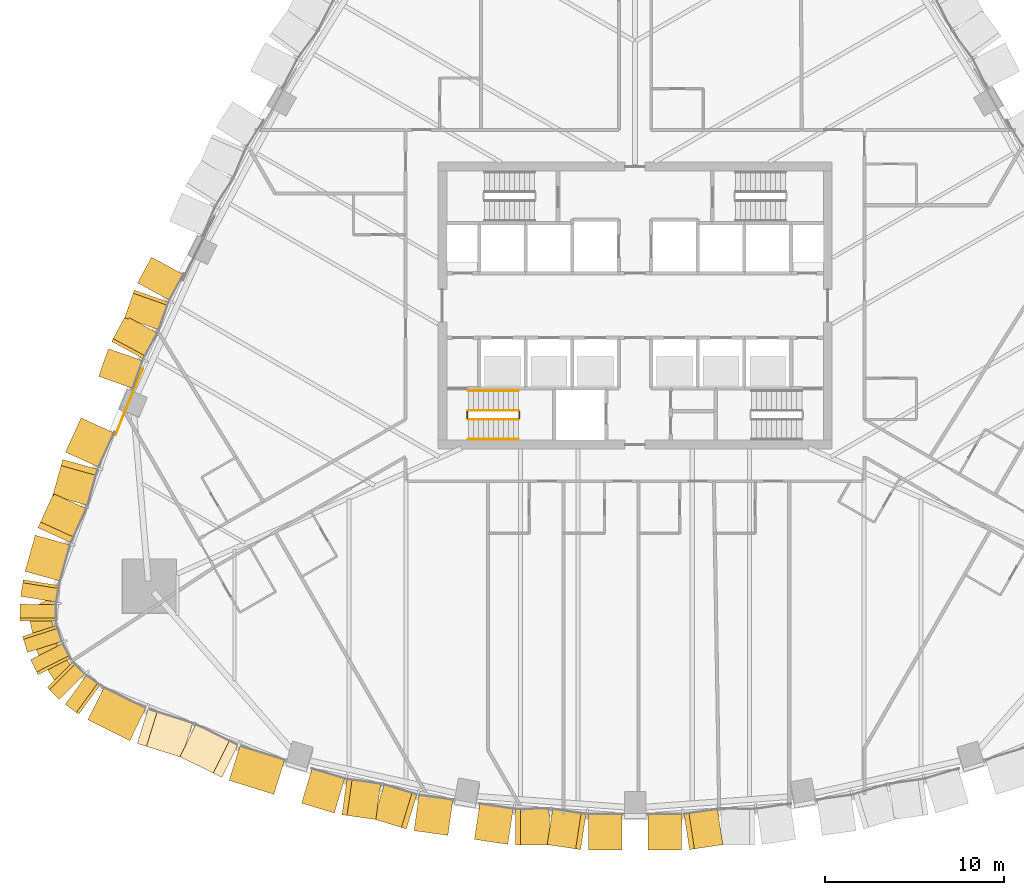
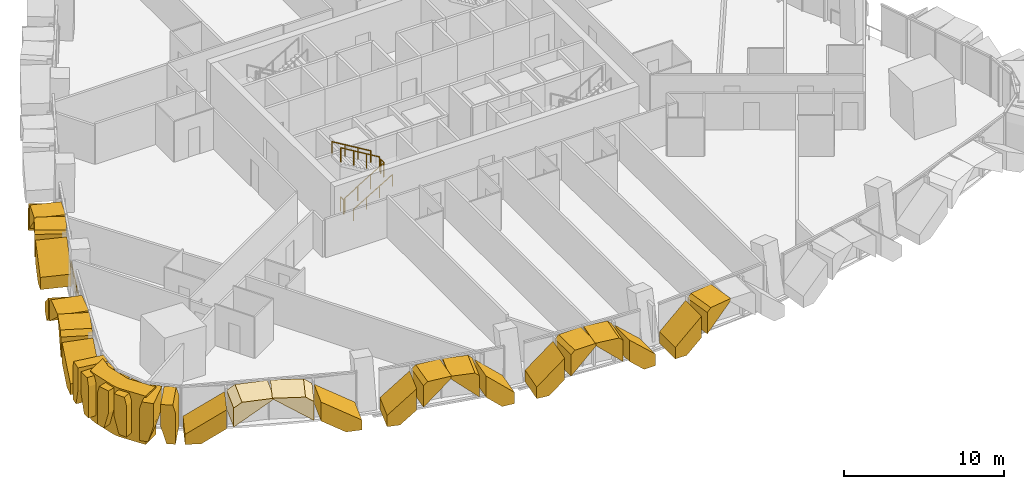
# One storey, part 19 of 23: 29 coverings, 7 railings.
"""IFC4 building model written with IfcOpenShell, lengths in metres."""

from ifc_helpers import new_model, si_unit, direction, frame, origin, origin_2d, place, context, subcontext, project, spatial, polyline, circle, outline, extrude, material, layer, layer_set, type_object, element, save


model = new_model("IFC4")

# Units and contexts
model_context = context("Model", 3, precision=1e-05, world=origin(), true_north=direction((0.0, 1.0)))
body_context = subcontext(model_context, "Body", "Model", "MODEL_VIEW")
ifc_project = project(units=[si_unit("LENGTHUNIT", "METRE"), si_unit("AREAUNIT", "SQUARE_METRE"), si_unit("VOLUMEUNIT", "CUBIC_METRE"), si_unit("PLANEANGLEUNIT", "RADIAN"), si_unit("MASSUNIT", "GRAM", prefix="KILO")], contexts=[model_context])

# Site, building, storey
site_placement = place(None, origin())
site = spatial("IfcSite", under=ifc_project, at=site_placement, CompositionType="ELEMENT")
building_placement = place(site_placement, origin())
building = spatial("IfcBuilding", under=site, at=building_placement, Name="Sierra Prisma Convention Tower", CompositionType="ELEMENT")
storey_placement = place(building_placement, frame((0.0, 0.0, 51.699951171875)))
storey = spatial("IfcBuildingStorey", under=building, at=storey_placement, Name="L08", CompositionType="ELEMENT", Elevation=51.699951171875)

# Coverings
ifc_material_1 = material(Name="Aluminium composite bronze anodised", Category="aluminium")
ifc_layer_1 = layer(ifc_material_1, 1.199951171875)
ifc_layer_set_1 = layer_set([ifc_layer_1], Name="Bronze corner pier")
covering_type_1 = type_object("IfcCoveringType", Name="Bronze corner pier", PredefinedType="CLADDING", material=ifc_layer_set_1)
covering_1_placement = place(storey_placement, frame((0.0, 0.0, -0.599853515625)))
element("IfcCovering", 1, at=covering_1_placement, inside=storey, type_object=covering_type_1, Name="Corner pier SW L08.1", PredefinedType="CLADDING", context=body_context, shape_type="SweptSolid", body=[
    extrude(outline(polyline([(-32.294189453125, -21.051513671875), (-33.251708984375, -19.5517578125), (-33.412841796875, -19.161376953125), (-33.79150390625, -17.4228515625), (-33.8076171875, -17.0009765625), (-33.80419921875, -16.976318359375), (-32.485595703125, -16.21533203125), (-32.619140625, -17.16748046875), (-32.240234375, -18.906005859375), (-31.28271484375, -20.40576171875), (-31.13623046875, -20.516845703125), (-32.213623046875, -21.138916015625), (-32.294189453125, -21.051513671875)])), origin(), (0.0, 0.0, 1.0), 3.699951171875),
])
ifc_material_2 = material(Name="Aluminium 6063-T6 bronze anodised", Category="aluminium")
ifc_layer_2 = layer(ifc_material_2, 2.0)
ifc_layer_set_2 = layer_set([ifc_layer_2], Name="Bronze crystal chevron frame")
covering_type_2 = type_object("IfcCoveringType", Name="Bronze crystal chevron frame", PredefinedType="CLADDING", material=ifc_layer_set_2)
covering_2_placement = place(storey_placement, frame((-30.520263671875, -23.103271484375, 0.0), z_axis=(-0.443732413084, -0.896159330464, 6.76376e-07), x_axis=(0.896159330465, -0.443732413084, -1e-12)))
element("IfcCovering", 2, at=covering_2_placement, inside=storey, type_object=covering_type_2, Name="CW-2 chevron frame S1.1.1", PredefinedType="CLADDING", context=body_context, shape_type="SweptSolid", body=[
    extrude(outline(polyline([(0.0, 0.0), (1.0112606469562402, 0.0), (2.6112405310045976, 1.0817871093778622), (2.6112405310031472, 2.530273437502531), (-7.658959683570873e-13, 0.764892578124825), (0.0, 0.0)])), origin(), (0.0, 0.0, -1.0), 2.0),
])
covering_3_placement = place(storey_placement, frame((-27.7685546875, -24.427001953125, 2.6181640625), z_axis=(-0.298055075039, -0.954548674229, 2.776161e-05), x_axis=(-8.274489e-06, -2.6499808e-05, -0.999999999615)))
element("IfcCovering", 3, at=covering_3_placement, inside=storey, type_object=covering_type_2, Name="CW-2 chevron frame S1.1.2", PredefinedType="CLADDING", context=body_context, shape_type="SweptSolid", body=[
    extrude(outline(polyline([(0.0, 0.0), (1.448486327566821, -2.4538312871385566e-21), (-0.317138672031644, 2.611362682428372), (-0.36181640638942725, 2.611362682428372), (-0.3618164075402192, 0.5350453592120472), (0.0, 0.0)])), origin(), (0.0, 0.0, -1.0), 2.0),
])
covering_4_placement = place(storey_placement, frame((-23.051025390625, -26.317626953125, 1.169677734375), z_axis=(-0.443746913114, -0.896152142766, -0.00011882094), x_axis=(-5.2726426e-05, -0.000106481641, 0.999999992941)))
element("IfcCovering", 4, at=covering_4_placement, inside=storey, type_object=covering_type_2, Name="CW-2 chevron frame S1.2.1", PredefinedType="CLADDING", context=body_context, shape_type="SweptSolid", body=[
    extrude(outline(polyline([(0.0, 0.0), (1.448486317899834, 0.0), (1.8103027477850822, 0.5352199647355572), (1.810302726703971, 2.611240530651879), (1.7656249926443606, 2.611240530651879), (0.0, 0.0)])), origin(), (0.0, 0.0, -1.0), 2.0),
])
covering_5_placement = place(storey_placement, frame((-20.14697265625, -27.260986328125, 0.0), z_axis=(-0.298065111719, -0.954545540021, -3.4666908e-05), x_axis=(-1.0332996e-05, -3.3091142e-05, 0.999999999399)))
element("IfcCovering", 5, at=covering_5_placement, inside=storey, type_object=covering_type_2, Name="CW-2 chevron frame S1.2.2", PredefinedType="CLADDING", context=body_context, shape_type="SweptSolid", body=[
    extrude(outline(polyline([(0.0, 0.0), (0.7648925776653782, -1.2957784295643179e-21), (2.5302734372796514, 2.6113626821784024), (1.081787110025043, 2.6113626821784024), (-2.6600266064379373e-09, 1.0113240919691124), (0.0, 0.0)])), origin(), (0.0, 0.0, -1.0), 2.0),
])
covering_6_placement = place(storey_placement, frame((-18.601318359375, -27.750732421875, 0.0), z_axis=(-0.291449744574, -0.956586141294, 2.5937207e-05), x_axis=(0.956586141615, -0.291449744672, -2.016e-09)))
element("IfcCovering", 6, at=covering_6_placement, inside=storey, type_object=covering_type_2, Name="CW-2 chevron frame S2.1.1", PredefinedType="CLADDING", context=body_context, shape_type="SweptSolid", body=[
    extrude(outline(polyline([(0.0, 0.0), (0.830763192791194, -1.6940658945086007e-21), (1.904959880936486, 0.9790039104203808), (1.904959877662864, 2.6025390661242738), (-1.7470802926684915e-09, 0.8664550778335511), (0.0, 0.0)])), origin(), (0.0, 0.0, -1.0), 2.0),
])
covering_7_placement = place(storey_placement, frame((-16.34619140625, -28.4013671875, 2.72119140625), z_axis=(-0.138170286185, -0.990408487297, -1.7498073e-05), x_axis=(2.417714e-06, 1.733024e-05, -0.999999999847)))
element("IfcCovering", 7, at=covering_7_placement, inside=storey, type_object=covering_type_2, Name="CW-2 chevron frame S2.1.2", PredefinedType="CLADDING", context=body_context, shape_type="SweptSolid", body=[
    extrude(outline(polyline([(0.0, 0.0), (1.6237792966264137, 6.876972817612734e-22), (-0.11230468756204384, 1.904744616953994), (-0.25878906253961836, 1.904744616953994), (-0.25878906308164223, 0.28422519582693534), (0.0, 0.0)])), origin(), (0.0, 0.0, -1.0), 2.0),
])
covering_8_placement = place(storey_placement, frame((-14.5810546875, -28.6376953125, 2.97998046875), z_axis=(-0.291355212986, -0.956614938135, 1.697988e-06), x_axis=(-4.94718e-07, -1.62432e-06, -0.999999999999)))
element("IfcCovering", 8, at=covering_8_placement, inside=storey, type_object=covering_type_2, Name="CW-2 chevron frame S2.2.1", PredefinedType="CLADDING", context=body_context, shape_type="SweptSolid", body=[
    extrude(outline(polyline([(0.0, 0.0), (0.14648437499978884, 7.754818242684634e-24), (1.8825683593730322, 1.9046551959057154), (0.2587890625003731, 1.9046551959057154), (-5.103956370906956e-12, 1.6206020114945416), (0.0, 0.0)])), origin(), (0.0, 0.0, -1.0), 2.0),
])
covering_9_placement = place(storey_placement, frame((-10.439453125, -29.551513671875, 0.0), z_axis=(-0.138166251373, -0.990409050253, 1.2551574e-05), x_axis=(1.734204e-06, 1.2431193e-05, 0.999999999921)))
element("IfcCovering", 9, at=covering_9_placement, inside=storey, type_object=covering_type_2, Name="CW-2 chevron frame S2.2.2", PredefinedType="CLADDING", context=body_context, shape_type="SweptSolid", body=[
    extrude(outline(polyline([(0.0, 0.0), (0.8664550780567485, 0.0), (2.60253906244923, 1.9047446169197402), (0.9790039063271172, 1.9047446169197402), (-3.922780957885973e-10, 0.830716952579968), (0.0, 0.0)])), origin(), (0.0, 0.0, -1.0), 2.0),
])
covering_10_placement = place(storey_placement, frame((-8.957763671875, -29.77197265625, 0.0), z_axis=(-0.149920700605, -0.988698023727, 3.7523139e-05), x_axis=(0.988698024423, -0.14992070071, -4.273e-09)))
element("IfcCovering", 10, at=covering_10_placement, inside=storey, type_object=covering_type_2, Name="CW-2 chevron frame S3.1.1", PredefinedType="CLADDING", context=body_context, shape_type="SweptSolid", body=[
    extrude(outline(polyline([(0.0, 0.0), (0.8250121813619046, 0.0), (1.8811181499831977, 0.9738769618490484), (1.8811181430079047, 2.6062011794499034), (-3.7244683475189594e-09, 0.8715820306364124), (0.0, 0.0)])), origin(), (0.0, 0.0, -1.0), 2.0),
])
covering_11_placement = place(storey_placement, frame((-6.655517578125, -30.0859375, 2.72607421875), z_axis=(0.006610033793, -0.999978151314, 6.593783e-05), x_axis=(4.35851e-07, -6.5936389e-05, -0.999999997826)))
element("IfcCovering", 11, at=covering_11_placement, inside=storey, type_object=covering_type_2, Name="CW-2 chevron frame S3.1.2", PredefinedType="CLADDING", context=body_context, shape_type="SweptSolid", body=[
    extrude(outline(polyline([(0.0, 0.0), (1.6323242152014927, -8.641452461764911e-23), (-0.10253906338102341, 1.8811447227413156), (-0.2539062505519665, 1.8811447227413156), (-0.2539062583070953, 0.2751533836062792), (0.0, 0.0)])), origin(), (0.0, 0.0, -1.0), 2.0),
])
covering_12_placement = place(storey_placement, frame((-4.8984375, -30.064697265625, 2.97998046875), z_axis=(-0.149902303645, -0.988700813859, -6.066502e-06), x_axis=(9.09383e-07, 5.997955e-06, -0.999999999982)))
element("IfcCovering", 12, at=covering_12_placement, inside=storey, type_object=covering_type_2, Name="CW-2 chevron frame S3.2.1", PredefinedType="CLADDING", context=body_context, shape_type="SweptSolid", body=[
    extrude(outline(polyline([(0.0, 0.0), (0.15136718749721467, 0.0), (1.8862304687246354, 1.8811181544991094), (0.2539062500046722, 1.8811181544991094), (-6.564419846458516e-11, 1.6057922519626453), (0.0, 0.0)])), origin(), (0.0, 0.0, -1.0), 2.0),
])
covering_13_placement = place(storey_placement, frame((-0.715087890625, -30.3662109375, 0.0), z_axis=(0.006492010125, -0.999978926665, 5.513081e-06), x_axis=(-3.5791e-08, 5.512965e-06, 0.999999999985)))
element("IfcCovering", 13, at=covering_13_placement, inside=storey, type_object=covering_type_2, Name="CW-2 chevron frame S3.2.2", PredefinedType="CLADDING", context=body_context, shape_type="SweptSolid", body=[
    extrude(outline(polyline([(0.0, 0.0), (0.8715820312367546, -5.767646067996697e-24), (2.6062011718649933, 1.8811431226995585), (0.9738769531398002, 1.8811431226995585), (-7.610389425556997e-11, 0.8252127920903112), (0.0, 0.0)])), origin(), (0.0, 0.0, -1.0), 2.0),
])
covering_14_placement = place(storey_placement, frame((0.715087890625, -30.3662109375, 0.0), z_axis=(-0.006492010125, -0.999978926665, 5.513081e-06), x_axis=(0.99997892668, -0.006492010125, -9.2e-11)))
element("IfcCovering", 14, at=covering_14_placement, inside=storey, type_object=covering_type_2, Name="CW-2 chevron frame S4.1.1", PredefinedType="CLADDING", context=body_context, shape_type="SweptSolid", body=[
    extrude(outline(polyline([(0.0, 0.0), (0.8252127920903111, 3.308722450212111e-24), (1.8811431226097444, 0.9738769533132853), (1.881143122459206, 2.6062011720384786), (-8.038022116971517e-11, 0.8715820312367544), (0.0, 0.0)])), origin(), (0.0, 0.0, -1.0), 2.0),
])
covering_15_placement = place(storey_placement, frame((3.03857421875, -30.3466796875, 2.72607421875), z_axis=(0.149902303645, -0.988700813859, -6.066502e-06), x_axis=(-9.09383e-07, 5.997955e-06, -0.999999999982)))
element("IfcCovering", 15, at=covering_15_placement, inside=storey, type_object=covering_type_2, Name="CW-2 chevron frame S4.1.2", PredefinedType="CLADDING", context=body_context, shape_type="SweptSolid", body=[
    extrude(outline(polyline([(0.0, 0.0), (1.6323242187199634, 0.0), (-0.10253906250745753, 1.8811181544991094), (-0.2539062500046722, 1.8811181544991094), (-0.2539062500703164, 0.2753259025364639), (0.0, 0.0)])), origin(), (0.0, 0.0, -1.0), 2.0),
])
covering_16_placement = place(storey_placement, frame((-26.971923828125, 2.701171875, 0.0), z_axis=(-0.879582379001, 0.475746609828, -4.228703e-05), x_axis=(-0.475746610253, -0.879582379788, -6.238e-09)))
element("IfcCovering", 16, at=covering_16_placement, inside=storey, type_object=covering_type_2, Name="CW-2 chevron frame NW5.1.1", PredefinedType="CLADDING", context=body_context, shape_type="SweptSolid", body=[
    extrude(outline(polyline([(0.0, 0.0), (0.7674039214943579, -1.6940658945086007e-21), (1.6318210469039718, 0.9101562609938469), (1.6318210360323275, 2.652832040685727), (-5.83029622223827e-09, 0.934570311664404), (0.0, 0.0)])), origin(), (0.0, 0.0, -1.0), 2.0),
])
covering_17_placement = place(storey_placement, frame((-27.927978515625, 0.860595703125, 2.789794921875), z_axis=(-0.943175600441, 0.332294728592, -9.036629e-06), x_axis=(8.523128e-06, -3.002824e-06, -0.999999999959)))
element("IfcCovering", 17, at=covering_17_placement, inside=storey, type_object=covering_type_2, Name="CW-2 chevron frame NW5.1.2", PredefinedType="CLADDING", context=body_context, shape_type="SweptSolid", body=[
    extrude(outline(polyline([(0.0, 0.0), (1.742675781178846, 0.0), (0.024169921858482456, 1.6317884711082438), (-0.19018554688276534, 1.6317884711082438), (-0.1901855470425778, 0.18068385555958566), (0.0, 0.0)])), origin(), (0.0, 0.0, -1.0), 2.0),
])
covering_18_placement = place(storey_placement, frame((-28.419921875, -0.56494140625, 2.97998046875), z_axis=(-0.879570423192, 0.475768715313, -1.3262616e-05), x_axis=(1.1665405e-05, -6.309938e-06, -0.999999999912)))
element("IfcCovering", 18, at=covering_18_placement, inside=storey, type_object=covering_type_2, Name="CW-2 chevron frame NW5.2.1", PredefinedType="CLADDING", context=body_context, shape_type="SweptSolid", body=[
    extrude(outline(polyline([(0.0, 0.0), (0.21435546873114777, 0.0), (1.932861327988461, 1.6318210530338952), (0.19018554689172656, 1.6318210530338952), (-3.4423587989133896e-10, 1.451139672820755), (0.0, 0.0)])), origin(), (0.0, 0.0, -1.0), 2.0),
])
covering_19_placement = place(storey_placement, frame((-29.918212890625, -3.944580078125, 0.0), z_axis=(-0.943165141133, 0.332324410143, -5.4534089e-05), x_axis=(-5.1434652e-05, 1.8123009e-05, 0.999999998513)))
element("IfcCovering", 19, at=covering_19_placement, inside=storey, type_object=covering_type_2, Name="CW-2 chevron frame NW5.2.2", PredefinedType="CLADDING", context=body_context, shape_type="SweptSolid", body=[
    extrude(outline(polyline([(0.0, 0.0), (0.9345703111103094, 0.0), (2.652832030012057, 1.6317884703542749), (0.9101562513533873, 1.6317884703542749), (-7.962041196457029e-09, 0.7672901590800981), (0.0, 0.0)])), origin(), (0.0, 0.0, -1.0), 2.0),
])
covering_20_placement = place(storey_placement, frame((-30.89990234375, -6.265380859375, 0.0), z_axis=(-0.909690362978, 0.415287180013, -4.0273932e-05), x_axis=(-0.41528718035, -0.909690363716, -4.429e-09)))
element("IfcCovering", 20, at=covering_20_placement, inside=storey, type_object=covering_type_2, Name="CW-2 chevron frame NW6.1.1", PredefinedType="CLADDING", context=body_context, shape_type="SweptSolid", body=[
    extrude(outline(polyline([(0.0, 0.0), (0.8767459971095172, -3.3881317890172014e-21), (2.09336486030338, 1.0146484475934536), (2.0933648533837648, 2.577148446326275), (-3.6814515653876997e-09, 0.8312988274508212), (0.0, 0.0)])), origin(), (0.0, 0.0, -1.0), 2.0),
])
covering_21_placement = place(storey_placement, frame((-31.921142578125, -8.586181640625, 2.685546875), z_axis=(-0.963439265917, 0.267926816072, 4.6025661e-05), x_axis=(-4.4342929e-05, 1.2331509e-05, -0.999999998941)))
element("IfcCovering", 21, at=covering_21_placement, inside=storey, type_object=covering_type_2, Name="CW-2 chevron frame NW6.1.2", PredefinedType="CLADDING", context=body_context, shape_type="SweptSolid", body=[
    extrude(outline(polyline([(0.0, 0.0), (1.56249999834503, -2.6469779601696886e-21), (-0.183105469179775, 2.093124082537755), (-0.29443359406185843, 2.093124082537755), (-0.29443359760763144, 0.35296840253269174), (0.0, 0.0)])), origin(), (0.0, 0.0, -1.0), 2.0),
])
covering_22_placement = place(storey_placement, frame((-32.439453125, -10.486083984375, 2.97998046875), z_axis=(-0.909683577762, 0.415302044105, 2.261724e-05), x_axis=(-2.0574532e-05, 9.392986e-06, -0.999999999744)))
element("IfcCovering", 22, at=covering_22_placement, inside=storey, type_object=covering_type_2, Name="CW-2 chevron frame NW6.2.1", PredefinedType="CLADDING", context=body_context, shape_type="SweptSolid", body=[
    extrude(outline(polyline([(0.0, 0.0), (0.11132812497152564, 1.885971796620903e-22), (1.856933593425667, 2.0933648651850576), (0.2944335938253072, 2.0933648651850576), (-8.5622931558309e-10, 1.7401568287562235), (0.0, 0.0)])), origin(), (0.0, 0.0, -1.0), 2.0),
])
covering_23_placement = place(storey_placement, frame((-34.021484375, -14.82373046875, 0.0), z_axis=(-0.963450078314, 0.267887936584, 5.434497e-06), x_axis=(5.235866e-06, -1.455836e-06, 0.999999999985)))
element("IfcCovering", 23, at=covering_23_placement, inside=storey, type_object=covering_type_2, Name="CW-2 chevron frame NW6.2.2", PredefinedType="CLADDING", context=body_context, shape_type="SweptSolid", body=[
    extrude(outline(polyline([(0.0, 0.0), (0.8312988281127244, 0.0), (2.57714843749191, 2.093359298684555), (1.0146484375149833, 2.093359298684555), (-7.0697870734531e-11, 0.8767689126008898), (0.0, 0.0)])), origin(), (0.0, 0.0, -1.0), 2.0),
])
covering_24_placement = place(storey_placement, frame((-34.12451171875, -15.2958984375, 0.0), z_axis=(-0.987415372625, 0.15814828779, 3.1203296e-05), x_axis=(-0.158148287867, -0.987415373105, -8.885e-09)))
element("IfcCovering", 24, at=covering_24_placement, inside=storey, type_object=covering_type_2, Name="CW-2 chevron frame SW1.1.1", PredefinedType="CLADDING", context=body_context, shape_type="SweptSolid", body=[
    extrude(outline(polyline([(0.0, 0.0), (0.5640079930206489, 0.0), (0.931144937958179, 1.2866211027294934), (0.9311449229133816, 2.979980476905127), (0.16664987014584182, 2.979980468407264), (-2.128743395359488e-08, 2.395996092583574), (0.0, 0.0)])), origin(), (0.0, 0.0, -1.0), 2.0),
])
covering_25_placement = place(storey_placement, frame((-34.307373046875, -16.657470703125, 2.97998046875), z_axis=(-0.999998722405, 0.001598369147, -2.0108283e-05), x_axis=(2.0108258e-05, -3.214e-08, -0.999999999798)))
element("IfcCovering", 25, at=covering_25_placement, inside=storey, type_object=covering_type_2, Name="CW-2 chevron frame SW1.1.2", PredefinedType="CLADDING", context=body_context, shape_type="SweptSolid", body=[
    extrude(outline(polyline([(0.0, 0.0), (1.693359374657651, -1.1205712360679297e-23), (2.9799804701306227, 0.3671878114110233), (2.979980468619742, 0.9311534956637734), (0.5839843753541438, 0.9311534956637734), (2.2092532833084678e-11, 0.7644052715646821), (0.0, 0.0)])), origin(), (0.0, 0.0, -1.0), 2.0),
])
covering_26_placement = place(storey_placement, frame((-34.17236328125, -18.458984375, 0.0), z_axis=(-0.951471844831, -0.307735809193, -1.5292643e-05), x_axis=(0.307735809229, -0.951471844943, -6.17e-10)))
element("IfcCovering", 26, at=covering_26_placement, inside=storey, type_object=covering_type_2, Name="CW-2 chevron frame SW2.1.1", PredefinedType="CLADDING", context=body_context, shape_type="SweptSolid", body=[
    extrude(outline(polyline([(0.0, 0.0), (0.5639978700061778, -4.235164736271502e-22), (0.9314269125794524, 1.2866210943720784), (0.9314269115350097, 2.97998046917407), (0.16676787393119366, 2.979980469322757), (-1.4778203251077232e-09, 2.3959960934698303), (0.0, 0.0)])), origin(), (0.0, 0.0, -1.0), 2.0),
])
covering_27_placement = place(storey_placement, frame((-33.716552734375, -19.755126953125, 2.97998046875), z_axis=(-0.89162941775, -0.452765923342, 7.898849e-06), x_axis=(-7.042846e-06, -3.57633e-06, -0.999999999969)))
element("IfcCovering", 27, at=covering_27_placement, inside=storey, type_object=covering_type_2, Name="CW-2 chevron frame SW2.1.2", PredefinedType="CLADDING", context=body_context, shape_type="SweptSolid", body=[
    extrude(outline(polyline([(0.0, 0.0), (1.693359374947174, 0.0), (2.979980468578877, 0.3671896101186707), (2.979980468681915, 0.9312398436278454), (0.5839843750066603, 0.9312398436278454), (-4.012221855400419e-10, 0.7645145053114488), (0.0, 0.0)])), origin(), (0.0, 0.0, -1.0), 2.0),
])
covering_28_placement = place(storey_placement, frame((-32.77783203125, -21.298828125, 0.0), z_axis=(-0.707905505067, -0.706307153931, 1.4219269e-05), x_axis=(0.706307154002, -0.707905505138, -1.344e-09)))
element("IfcCovering", 28, at=covering_28_placement, inside=storey, type_object=covering_type_2, Name="CW-2 chevron frame SW3.1.1", PredefinedType="CLADDING", context=body_context, shape_type="SweptSolid", body=[
    extrude(outline(polyline([(0.0, 0.0), (0.5638214035837257, 8.470329472543003e-22), (0.931185627361271, 1.2866210951080952), (0.9311856250850509, 2.979980469936907), (0.16659140400477931, 2.979980468895192), (-3.220707114840446e-09, 2.3959960935077795), (0.0, 0.0)])), origin(), (0.0, 0.0, -1.0), 2.0),
])
covering_29_placement = place(storey_placement, frame((-31.783203125, -22.24609375, 2.97998046875), z_axis=(-0.58868439772, -0.808362962815, 1.5124371e-05), x_axis=(-8.903481e-06, -1.2225981e-05, -0.999999999886)))
element("IfcCovering", 29, at=covering_29_placement, inside=storey, type_object=covering_type_2, Name="CW-2 chevron frame SW3.1.2", PredefinedType="CLADDING", context=body_context, shape_type="SweptSolid", body=[
    extrude(outline(polyline([(0.0, 0.0), (1.693359374806325, 0.0), (2.9799804697730123, 0.3673202488613231), (2.979980468706532, 0.9314395837498333), (0.5839843752305697, 0.9314395837498333), (2.6736609781813337e-10, 0.7647238895516282), (0.0, 0.0)])), origin(), (0.0, 0.0, -1.0), 2.0),
])

# Railings
ifc_material_3 = material(Name="Stainless steel", Category="steel")
railing_type_1 = type_object("IfcRailingType", Name="Exit stair handrail", PredefinedType="HANDRAIL", material=ifc_material_3)
railing_1_placement = place(storey_placement, frame((-9.300048828125, -7.449951171875, 0.168212890625)))
element("IfcRailing", 30, at=railing_1_placement, inside=storey, type_object=railing_type_1, Name="L08 S1 stair handrail 1", PredefinedType="HANDRAIL", context=body_context, shape_type="SweptSolid", body=[
    extrude(circle(Radius=0.02392578125, at=origin_2d()), frame((0.0, 0.0, 0.8759765625), z_axis=(0.857242210791, 0.0, 0.514913383045), x_axis=(0.0, 1.0, 0.0)), (0.0, 0.0, 1.0), 3.266357421875),
    extrude(circle(Radius=0.02099609375, at=origin_2d()), origin(), (0.0, 0.0, 1.0), 0.851806640625),
    extrude(circle(Radius=0.02099609375, at=origin_2d()), frame((0.933349609375, 0.0, 0.560546875)), (0.0, 0.0, 1.0), 0.851806640625),
    extrude(circle(Radius=0.02099609375, at=origin_2d()), frame((1.86669921875, 0.0, 1.121337890625)), (0.0, 0.0, 1.0), 0.851806640625),
    extrude(circle(Radius=0.02099609375, at=origin_2d()), frame((2.800048828125, 0.0, 1.681884765625)), (0.0, 0.0, 1.0), 0.851806640625),
])
railing_2_placement = place(storey_placement, frame((-6.5, -4.75, 2.018310546875)))
element("IfcRailing", 31, at=railing_2_placement, inside=storey, type_object=railing_type_1, Name="L08 S1 stair handrail 2", PredefinedType="HANDRAIL", context=body_context, shape_type="SweptSolid", body=[
    extrude(circle(Radius=0.02392578125, at=origin_2d()), frame((0.0, 0.0, 0.8759765625), z_axis=(-0.857275202839, 0.0, 0.514858452973), x_axis=(0.0, -1.0, 0.0)), (0.0, 0.0, 1.0), 3.26611328125),
    extrude(circle(Radius=0.02099609375, at=origin_2d()), origin(), (0.0, 0.0, 1.0), 0.851806640625),
    extrude(circle(Radius=0.02099609375, at=origin_2d()), frame((-0.933349609375, 0.0, 0.560546875)), (0.0, 0.0, 1.0), 0.851806640625),
    extrude(circle(Radius=0.02099609375, at=origin_2d()), frame((-1.86669921875, 0.0, 1.12109375)), (0.0, 0.0, 1.0), 0.851806640625),
    extrude(circle(Radius=0.02099609375, at=origin_2d()), frame((-2.800048828125, 0.0, 1.681640625)), (0.0, 0.0, 1.0), 0.851806640625),
])
ifc_material_4 = material(Name="Bronze anodised aluminium", Category="aluminium")
railing_type_2 = type_object("IfcRailingType", Name="Facade guard 1100", PredefinedType="GUARDRAIL", material=ifc_material_4)
railing_3_placement = place(storey_placement, frame((-27.45849609375, -3.527099609375, 0.0)))
element("IfcRailing", 32, at=railing_3_placement, inside=storey, type_object=railing_type_2, Name="Facade guard", PredefinedType="GUARDRAIL", context=body_context, shape_type="SweptSolid", body=[
    extrude(circle(Radius=0.02392578125, at=origin_2d()), frame((0.0, 0.0, 1.076171875), z_axis=(-0.393005822228, -0.919535982817, 0.0), x_axis=(0.919535982817, -0.393005822228, 0.0)), (0.0, 0.0, 1.0), 1.000244140625),
    extrude(circle(Radius=0.02392578125, at=origin_2d()), frame((-0.39306640625, -0.919677734375, 1.076171875), z_axis=(-0.383673963579, -0.923468618672, 0.0), x_axis=(0.923468618672, -0.383673963579, 0.0)), (0.0, 0.0, 1.0), 0.99462890625),
    extrude(circle(Radius=0.02392578125, at=origin_2d()), frame((-0.774658203125, -1.838134765625, 1.076171875), z_axis=(-0.380381387203, -0.924829714201, 0.0), x_axis=(0.924829714201, -0.380381387203, 0.0)), (0.0, 0.0, 1.0), 1.0),
    extrude(circle(Radius=0.02392578125, at=origin_2d()), frame((-1.155029296875, -2.762939453125, 1.076171875), z_axis=(-0.370417049319, -0.928865549783, 0.0), x_axis=(0.928865549783, -0.370417049319, 0.0)), (0.0, 0.0, 1.0), 0.99462890625),
    extrude(circle(Radius=0.02099609375, at=origin_2d()), origin(), (0.0, 0.0, 1.0), 1.052001953125),
    extrude(circle(Radius=0.02099609375, at=origin_2d()), frame((-0.39306640625, -0.919677734375, 0.0)), (0.0, 0.0, 1.0), 1.052001953125),
    extrude(circle(Radius=0.02099609375, at=origin_2d()), frame((-0.774658203125, -1.838134765625, 0.0)), (0.0, 0.0, 1.0), 1.052001953125),
    extrude(circle(Radius=0.02099609375, at=origin_2d()), frame((-1.155029296875, -2.762939453125, 0.0)), (0.0, 0.0, 1.0), 1.052001953125),
    extrude(circle(Radius=0.02099609375, at=origin_2d()), frame((-1.5234375, -3.686767578125, 0.0)), (0.0, 0.0, 1.0), 1.052001953125),
])
ifc_material_5 = material(Name="Stainless steel", Category="steel")
railing_type_3 = type_object("IfcRailingType", Name="Stair guard 1100", PredefinedType="GUARDRAIL", material=ifc_material_5)
railing_4_placement = place(storey_placement, frame((-9.300048828125, -6.35009765625, 0.168212890625)))
element("IfcRailing", 33, at=railing_4_placement, inside=storey, type_object=railing_type_3, Name="L08 S1 stair guard 1", PredefinedType="GUARDRAIL", context=body_context, shape_type="SweptSolid", body=[
    extrude(circle(Radius=0.02392578125, at=origin_2d()), frame((0.0, 0.0, 1.076171875), z_axis=(0.857242210791, 0.0, 0.514913383045), x_axis=(0.0, 1.0, 0.0)), (0.0, 0.0, 1.0), 3.266357421875),
    extrude(circle(Radius=0.02099609375, at=origin_2d()), origin(), (0.0, 0.0, 1.0), 1.052001953125),
    extrude(circle(Radius=0.02099609375, at=origin_2d()), frame((0.933349609375, 0.0, 0.560546875)), (0.0, 0.0, 1.0), 1.052001953125),
    extrude(circle(Radius=0.02099609375, at=origin_2d()), frame((1.86669921875, 0.0, 1.121337890625)), (0.0, 0.0, 1.0), 1.052001953125),
    extrude(circle(Radius=0.02099609375, at=origin_2d()), frame((2.800048828125, 0.0, 1.681884765625)), (0.0, 0.0, 1.0), 1.052001953125),
])
railing_5_placement = place(storey_placement, frame((-6.449951171875, -6.300048828125, 1.85009765625)))
element("IfcRailing", 34, at=railing_5_placement, inside=storey, type_object=railing_type_3, Name="L08 S1 stair guard 2", PredefinedType="GUARDRAIL", context=body_context, shape_type="SweptSolid", body=[
    extrude(circle(Radius=0.02392578125, at=origin_2d()), frame((0.0, 0.0, 1.076171875), z_axis=(0.0, 1.0, 0.0), x_axis=(-1.0, 0.0, 0.0)), (0.0, 0.0, 1.0), 0.400146484375),
    extrude(circle(Radius=0.02099609375, at=origin_2d()), origin(), (0.0, 0.0, 1.0), 1.052001953125),
    extrude(circle(Radius=0.02099609375, at=origin_2d()), frame((0.0, 0.400146484375, 0.0)), (0.0, 0.0, 1.0), 1.052001953125),
])
railing_6_placement = place(storey_placement, frame((-6.5, -5.85009765625, 2.018310546875)))
element("IfcRailing", 35, at=railing_6_placement, inside=storey, type_object=railing_type_3, Name="L08 S1 stair guard 3", PredefinedType="GUARDRAIL", context=body_context, shape_type="SweptSolid", body=[
    extrude(circle(Radius=0.02392578125, at=origin_2d()), frame((0.0, 0.0, 1.076171875), z_axis=(-0.857275202839, 0.0, 0.514858452973), x_axis=(0.0, -1.0, 0.0)), (0.0, 0.0, 1.0), 3.26611328125),
    extrude(circle(Radius=0.02099609375, at=origin_2d()), origin(), (0.0, 0.0, 1.0), 1.052001953125),
    extrude(circle(Radius=0.02099609375, at=origin_2d()), frame((-0.933349609375, 0.0, 0.560546875)), (0.0, 0.0, 1.0), 1.052001953125),
    extrude(circle(Radius=0.02099609375, at=origin_2d()), frame((-1.86669921875, 0.0, 1.12109375)), (0.0, 0.0, 1.0), 1.052001953125),
    extrude(circle(Radius=0.02099609375, at=origin_2d()), frame((-2.800048828125, 0.0, 1.681640625)), (0.0, 0.0, 1.0), 1.052001953125),
])
railing_7_placement = place(storey_placement, frame((-9.35009765625, -6.300048828125, 0.0)))
element("IfcRailing", 36, at=railing_7_placement, inside=storey, type_object=railing_type_3, Name="L08 S1 stair guard 4", PredefinedType="GUARDRAIL", context=body_context, shape_type="SweptSolid", body=[
    extrude(circle(Radius=0.02392578125, at=origin_2d()), frame((0.0, 0.0, 1.076171875), z_axis=(0.0, 1.0, 0.0), x_axis=(-1.0, 0.0, 0.0)), (0.0, 0.0, 1.0), 0.400146484375),
    extrude(circle(Radius=0.02099609375, at=origin_2d()), origin(), (0.0, 0.0, 1.0), 1.052001953125),
    extrude(circle(Radius=0.02099609375, at=origin_2d()), frame((0.0, 0.400146484375, 0.0)), (0.0, 0.0, 1.0), 1.052001953125),
])

save(model, "model.ifc")
